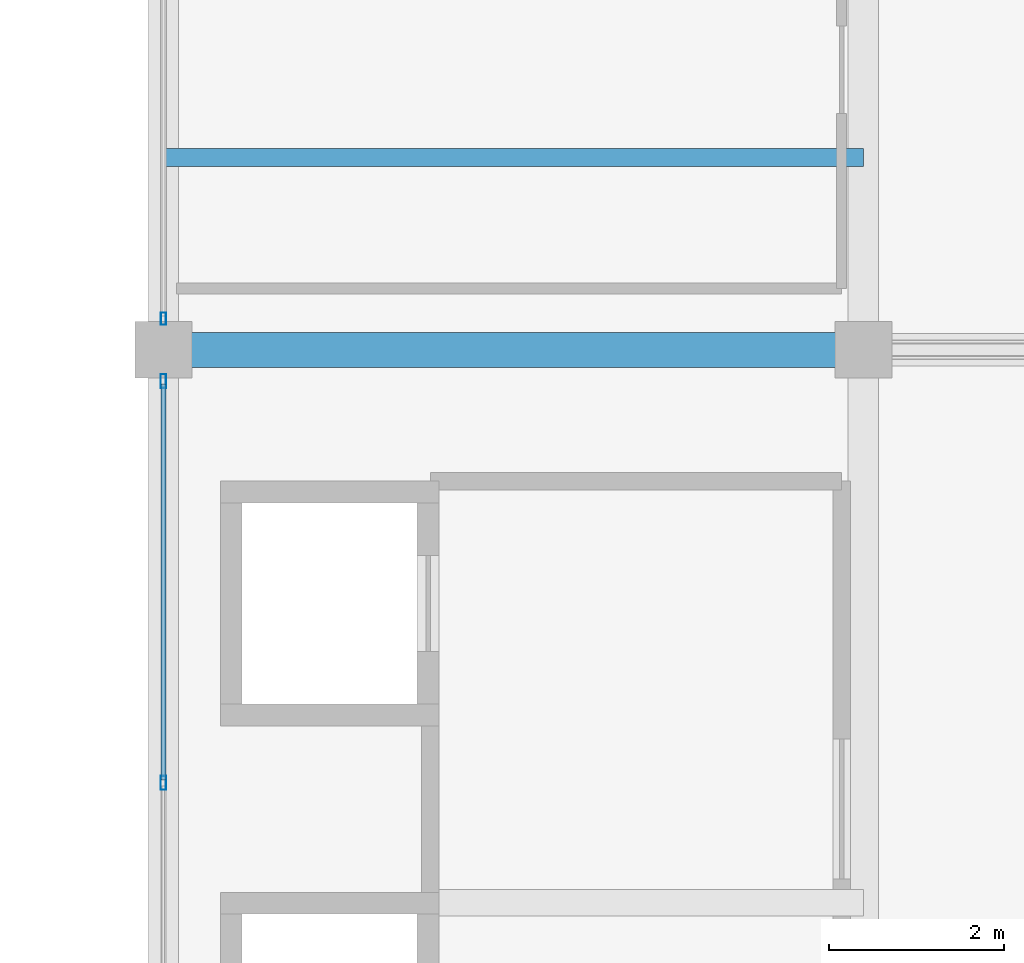
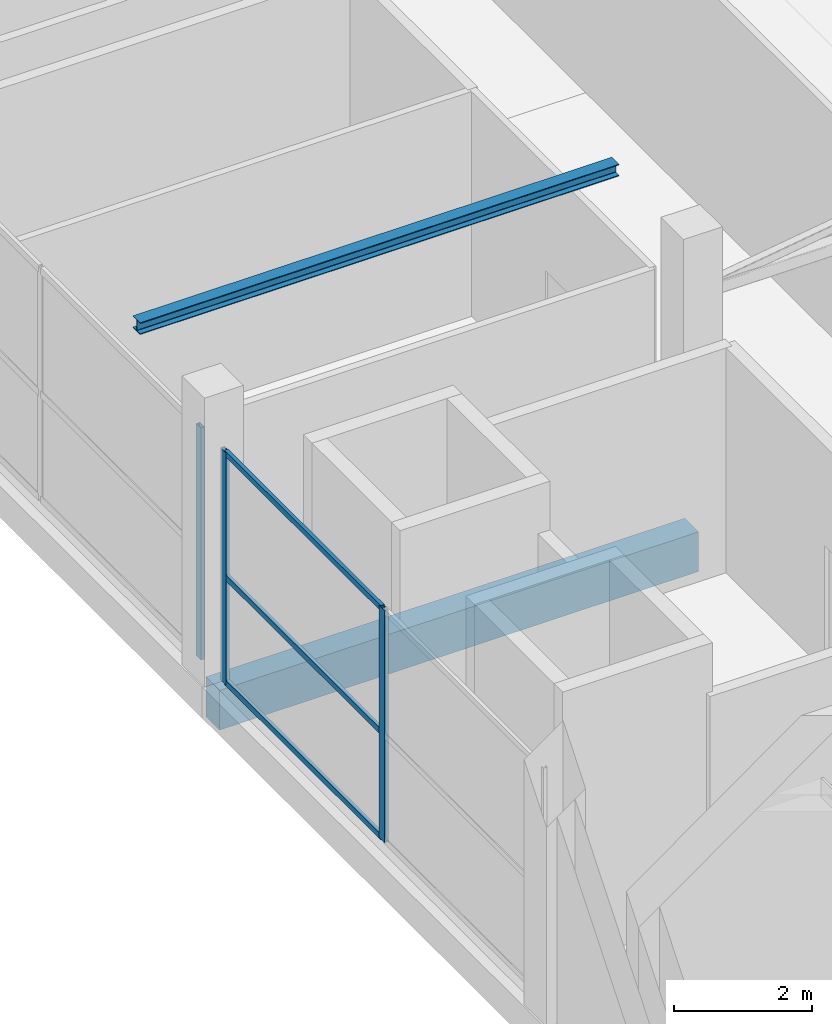
# One storey, part 8 of 58: 7 members, 1 beam, 2 elements without a shape of their own.
"""IFC4 building model written with IfcOpenShell, lengths in metres."""

from ifc_helpers import new_model, si_unit, direction, frame, origin, origin_2d, place, context, subcontext, project, spatial, rectangle, hollow_rectangle, i_section, extrude, material, layer, layer_set, material_profile, profile_set, type_object, element, aggregate, save


model = new_model("IFC4")

# Units and contexts
model_context = context("Model", 3, precision=1e-05, world=origin(), true_north=direction((0.0, 1.0)))
body_context = subcontext(model_context, "Body", "Model", "MODEL_VIEW")
ifc_project = project(units=[si_unit("LENGTHUNIT", "METRE"), si_unit("AREAUNIT", "SQUARE_METRE"), si_unit("VOLUMEUNIT", "CUBIC_METRE"), si_unit("PLANEANGLEUNIT", "RADIAN"), si_unit("MASSUNIT", "GRAM", prefix="KILO")], contexts=[model_context])

# Site, building, storey
site_placement = place(None, origin())
site = spatial("IfcSite", under=ifc_project, at=site_placement, CompositionType="ELEMENT")
building_placement = place(site_placement, origin())
building = spatial("IfcBuilding", under=site, at=building_placement, Name="Sillaruma Civic Art Gallery", CompositionType="ELEMENT")
storey_placement = place(building_placement, frame((0.0, 0.0, 52.02001953125)))
storey = spatial("IfcBuildingStorey", under=building, at=storey_placement, Name="L10", CompositionType="ELEMENT", Elevation=52.02001953125)

# Beam
ifc_material_1 = material(Name="Concrete H35 (35 MPa)", Category="concrete")
ifc_material_profile_1 = material_profile(ifc_material_1, rectangle(XDim=0.39990234375, YDim=0.699951171875, at=origin_2d()), Name="RCB400x700")
ifc_profile_set_1 = profile_set([ifc_material_profile_1], Name="Concrete H35 (35 MPa)")
beam_type = type_object("IfcBeamType", Name="BM-BEAM-RCB400x700", PredefinedType="BEAM", material=ifc_profile_set_1)
beam_placement = place(storey_placement, frame((62.0, 49.5, -0.60009765625), z_axis=(1.0, 0.0, 0.0), x_axis=(0.0, 1.0, 0.0)))
element("IfcBeam", 1, at=beam_placement, inside=storey, type_object=beam_type, Name="Beam BM-04 (L09:6:F-G)", PredefinedType="BEAM", context=body_context, shape_type="SweptSolid", body=[
    extrude(rectangle(XDim=0.39990234375, YDim=0.699951171875, at=origin_2d()), origin(), (0.0, 0.0, 1.0), 8.0),
])

# Curtain wall, member
ifc_material_2 = material(Name="Thermally Broken Extruded Aluminium 6063-T6", Category="aluminium")
ifc_layer_1 = layer(ifc_material_2, 0.139892578125, Name="Thermally Broken Extruded Aluminium 6063-T6")
ifc_layer_set_1 = layer_set([ifc_layer_1], Name="Thermally Broken Extruded Aluminium 6063-T6")
curtain_wall_type_1 = type_object("IfcCurtainWallType", Name="CW-UNI-70", PredefinedType="NOTDEFINED", material=ifc_layer_set_1)
curtain_wall_1_placement = place(storey_placement, origin())
curtain_wall_1 = element("IfcCurtainWall", 2, at=curtain_wall_1_placement, inside=storey, type_object=curtain_wall_type_1, Name="Unitised Curtain Wall CW-70 (CW-L10-WBW-4)", PredefinedType="NOTDEFINED")
ifc_material_profile_2 = material_profile(ifc_material_2, hollow_rectangle(XDim=0.06005859375, YDim=0.139892578125, WallThickness=0.00341796875, at=origin_2d()), Name="CWM60x140")
ifc_profile_set_2 = profile_set([ifc_material_profile_2], Name="Thermally Broken Extruded Aluminium 6063-T6")
member_type_1 = type_object("IfcMemberType", Name="MEM-MUL-CWM60x140", PredefinedType="MULLION", material=ifc_profile_set_2)
member_1_placement = place(storey_placement, frame((62.0, 49.85498046875, 0.0), z_axis=(0.0, 0.0, 1.0), x_axis=(-1.0, 0.0, 0.0)))
member_1 = element("IfcMember", 3, at=member_1_placement, type_object=member_type_1, Name="CW-70 mullion 1", PredefinedType="MULLION", context=body_context, shape_type="SweptSolid", body=[
    extrude(hollow_rectangle(XDim=0.06005859375, YDim=0.139892578125, WallThickness=0.00341796875, at=origin_2d()), origin(), (0.0, 0.0, 1.0), 4.10009765625),
])
aggregate(curtain_wall_1, [member_1])

# Curtain wall, members
ifc_layer_2 = layer(ifc_material_2, 0.159912109375, Name="Thermally Broken Extruded Aluminium 6063-T6")
ifc_layer_set_2 = layer_set([ifc_layer_2], Name="Thermally Broken Extruded Aluminium 6063-T6")
curtain_wall_type_2 = type_object("IfcCurtainWallType", Name="CW-UNI-73", PredefinedType="NOTDEFINED", material=ifc_layer_set_2)
curtain_wall_2_placement = place(storey_placement, origin())
curtain_wall_2 = element("IfcCurtainWall", 4, at=curtain_wall_2_placement, inside=storey, type_object=curtain_wall_type_2, Name="Unitised Curtain Wall CW-73 (CW-L10-WBW-3)", PredefinedType="NOTDEFINED")
ifc_material_profile_3 = material_profile(ifc_material_2, hollow_rectangle(XDim=0.06494140625, YDim=0.159912109375, WallThickness=0.00390625, at=origin_2d()), Name="CWM65x160")
ifc_profile_set_3 = profile_set([ifc_material_profile_3], Name="Thermally Broken Extruded Aluminium 6063-T6")
member_type_2 = type_object("IfcMemberType", Name="MEM-MUL-CWM65x160", PredefinedType="MULLION", material=ifc_profile_set_3)
member_2_placement = place(storey_placement, frame((62.0, 44.550048828125, 0.0), z_axis=(0.0, 0.0, 1.0), x_axis=(-1.0, 0.0, 0.0)))
member_2 = element("IfcMember", 5, at=member_2_placement, type_object=member_type_2, Name="CW-73 mullion 2", PredefinedType="MULLION", context=body_context, shape_type="SweptSolid", body=[
    extrude(hollow_rectangle(XDim=0.06494140625, YDim=0.159912109375, WallThickness=0.00390625, at=origin_2d()), origin(), (0.0, 0.0, 1.0), 4.10009765625),
])
member_3_placement = place(storey_placement, frame((62.0, 49.142578125, 0.0), z_axis=(0.0, 0.0, 1.0), x_axis=(-1.0, 0.0, 0.0)))
member_3 = element("IfcMember", 6, at=member_3_placement, type_object=member_type_2, Name="CW-73 mullion 3", PredefinedType="MULLION", context=body_context, shape_type="SweptSolid", body=[
    extrude(hollow_rectangle(XDim=0.06494140625, YDim=0.159912109375, WallThickness=0.00390625, at=origin_2d()), origin(), (0.0, 0.0, 1.0), 4.10009765625),
])

# Member
ifc_material_3 = material(Name="Structural Steel ASTM A992 Gr.50", Category="steel")
ifc_material_profile_4 = material_profile(ifc_material_3, i_section(OverallWidth=0.205078125, OverallDepth=0.2099609375, WebThickness=0.009033203125, FlangeThickness=0.01416015625, FilletRadius=0.010009765625, at=origin_2d()), Name="W200x59")
ifc_profile_set_4 = profile_set([ifc_material_profile_4], Name="Structural Steel ASTM A992 Gr.50")
member_type_3 = type_object("IfcMemberType", Name="MEM-STRINGER-W200", PredefinedType="STRINGER", material=ifc_profile_set_4)
member_4_placement = place(storey_placement, frame((62.0, 51.699951171875, 4.744873046875), z_axis=(1.0, 0.0, 0.0), x_axis=(0.0, 1.0, 0.0)))
element("IfcMember", 7, at=member_4_placement, inside=storey, type_object=member_type_3, Name="Feature Stair Floor Stringer (ST-G07)", PredefinedType="STRINGER", context=body_context, shape_type="SweptSolid", body=[
    extrude(i_section(OverallWidth=0.205078125, OverallDepth=0.2099609375, WebThickness=0.009033203125, FlangeThickness=0.01416015625, FilletRadius=0.010009765625, at=origin_2d()), origin(), (0.0, 0.0, 1.0), 8.0),
])

ifc_material_profile_5 = material_profile(ifc_material_2, hollow_rectangle(XDim=0.06005859375, YDim=0.10009765625, WallThickness=0.003173828125, at=origin_2d()), Name="CWT60x100")
ifc_profile_set_5 = profile_set([ifc_material_profile_5], Name="Thermally Broken Extruded Aluminium 6063-T6")
member_type_4 = type_object("IfcMemberType", Name="MEM-TRN-CWT60x100", PredefinedType="USERDEFINED", material=ifc_profile_set_5)
member_5_placement = place(storey_placement, frame((62.0, 44.58251953125, 0.030029296875), z_axis=(0.0, 1.0, 0.0), x_axis=(-1.0, 0.0, 0.0)))
member_5 = element("IfcMember", 8, at=member_5_placement, type_object=member_type_4, Name="CW-73 transom 2.1", ObjectType="TRANSOM", PredefinedType="USERDEFINED", context=body_context, shape_type="SweptSolid", body=[
    extrude(hollow_rectangle(XDim=0.06005859375, YDim=0.10009765625, WallThickness=0.003173828125, at=origin_2d()), origin(), (0.0, 0.0, 1.0), 4.527587890625),
])

member_6_placement = place(storey_placement, frame((62.0, 44.58251953125, 1.885986328125), z_axis=(0.0, 1.0, 0.0), x_axis=(-1.0, 0.0, 0.0)))
member_6 = element("IfcMember", 9, at=member_6_placement, type_object=member_type_4, Name="CW-73 transom 2.2", ObjectType="TRANSOM", PredefinedType="USERDEFINED", context=body_context, shape_type="SweptSolid", body=[
    extrude(hollow_rectangle(XDim=0.06005859375, YDim=0.10009765625, WallThickness=0.003173828125, at=origin_2d()), origin(), (0.0, 0.0, 1.0), 4.527587890625),
])

member_7_placement = place(storey_placement, frame((62.0, 44.58251953125, 4.070068359375), z_axis=(0.0, 1.0, 0.0), x_axis=(-1.0, 0.0, 0.0)))
member_7 = element("IfcMember", 10, at=member_7_placement, type_object=member_type_4, Name="CW-73 transom 2.3", ObjectType="TRANSOM", PredefinedType="USERDEFINED", context=body_context, shape_type="SweptSolid", body=[
    extrude(hollow_rectangle(XDim=0.06005859375, YDim=0.10009765625, WallThickness=0.003173828125, at=origin_2d()), origin(), (0.0, 0.0, 1.0), 4.527587890625),
])

aggregate(curtain_wall_2, [member_2, member_3, member_5, member_6, member_7])

save(model, "model.ifc")
